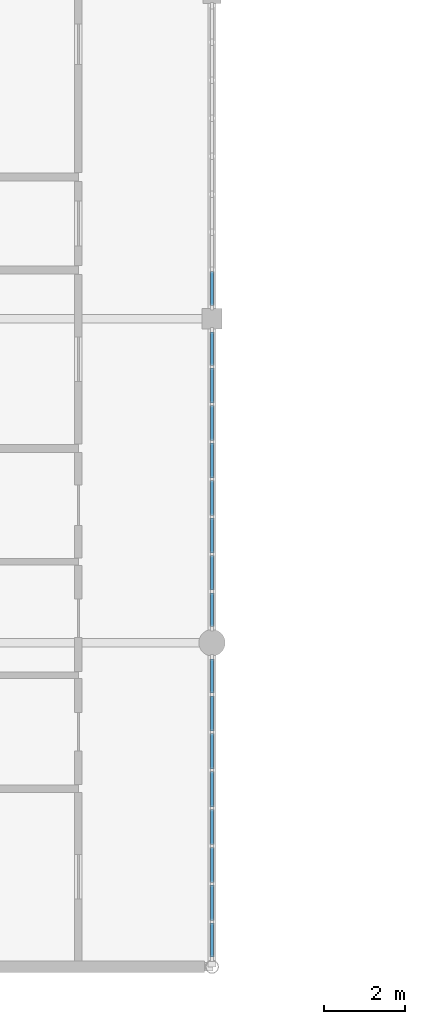
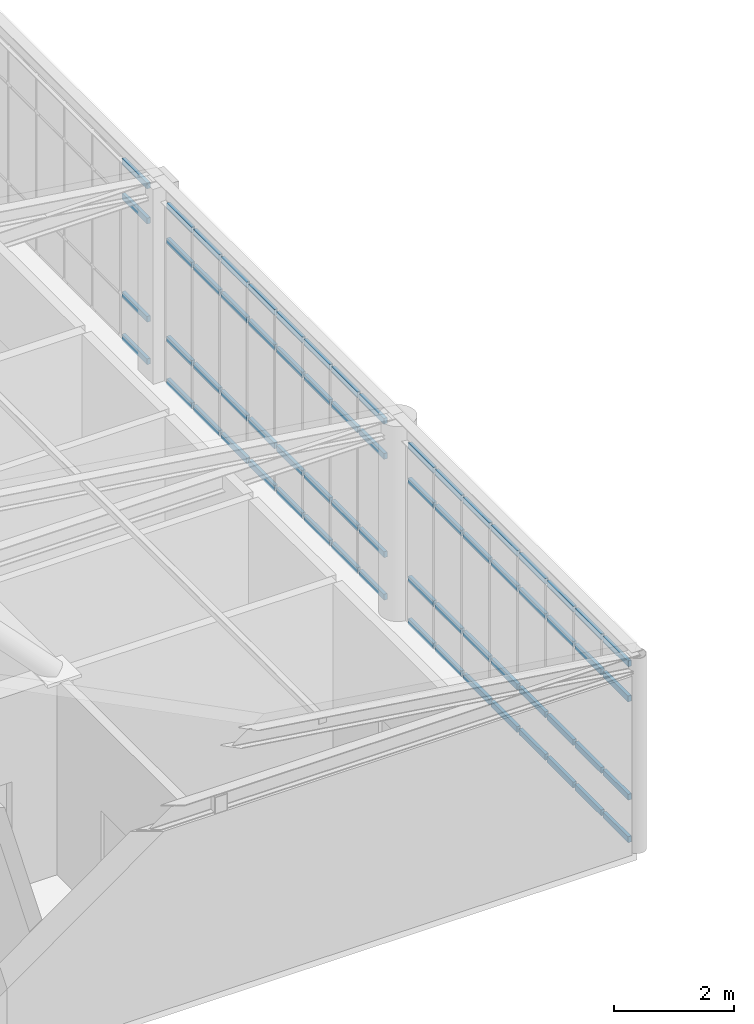
# One storey, part 9 of 21: 68 members, 3 elements without a shape of their own.
"""IFC4 building model written with IfcOpenShell, lengths in metres."""

from ifc_helpers import new_model, si_unit, direction, frame, origin, origin_2d, place, context, subcontext, project, spatial, rectangle, extrude, material, material_profile, profile_set, type_object, element, aggregate, save


model = new_model("IFC4")

# Units and contexts
model_context = context("Model", 3, precision=1e-05, world=origin(), true_north=direction((0.0, 1.0)))
body_context = subcontext(model_context, "Body", "Model", "MODEL_VIEW")
ifc_project = project(units=[si_unit("LENGTHUNIT", "METRE"), si_unit("AREAUNIT", "SQUARE_METRE"), si_unit("VOLUMEUNIT", "CUBIC_METRE"), si_unit("PLANEANGLEUNIT", "RADIAN"), si_unit("MASSUNIT", "GRAM", prefix="KILO")], contexts=[model_context])

# Site, building, storey
site_placement = place(None, origin())
site = spatial("IfcSite", under=ifc_project, at=site_placement, CompositionType="ELEMENT")
building_placement = place(site_placement, origin())
building = spatial("IfcBuilding", under=site, at=building_placement, Name="Tarnveldt Square Police Headquarters", CompositionType="ELEMENT")
storey_placement = place(building_placement, frame((0.0, 0.0, 33.300048828125)))
storey = spatial("IfcBuildingStorey", under=building, at=storey_placement, Name="L07", CompositionType="ELEMENT", Elevation=33.300048828125)

# Curtain wall, members
ifc_material_1 = material(Name="Triple-glazed low-e laminated vision glass", Category="glass")
curtain_wall_type_1 = type_object("IfcCurtainWallType", Name="CW-UP-748x366", PredefinedType="USERDEFINED", material=ifc_material_1)
curtain_wall_1_placement = place(storey_placement, origin())
curtain_wall_1 = element("IfcCurtainWall", 1, at=curtain_wall_1_placement, inside=storey, type_object=curtain_wall_type_1, Name="L07 Curtain Wall CW-L07-094", ObjectType="GLAZED CURTAIN WALL", PredefinedType="USERDEFINED")
ifc_material_2 = material(Name="Thermally broken anodised aluminium 6063-T6", Category="aluminium")
ifc_material_profile = material_profile(ifc_material_2, rectangle(XDim=0.06494140625, YDim=0.1201171875, at=origin_2d()), Name="CW-T65x120")
ifc_profile_set = profile_set([ifc_material_profile], Name="Thermally broken anodised aluminium 6063-T6")
member_type = type_object("IfcMemberType", Name="CWT-65x120", PredefinedType="USERDEFINED", material=ifc_profile_set)
member_1_placement = place(storey_placement, frame((40.5, 56.241943359375, 0.032470703125), z_axis=(0.0, 1.0, 0.0), x_axis=(-1.0, 0.0, 0.0)))
member_1 = element("IfcMember", 2, at=member_1_placement, type_object=member_type, Name="CW-UP51 transom 1.1", ObjectType="TRANSOM", PredefinedType="USERDEFINED", context=body_context, shape_type="SweptSolid", body=[
    extrude(rectangle(XDim=0.06494140625, YDim=0.1201171875, at=origin_2d()), origin(), (0.0, 0.0, 1.0), 0.837890625),
])
member_2_placement = place(storey_placement, frame((40.5, 56.241943359375, 0.89990234375), z_axis=(0.0, 1.0, 0.0), x_axis=(-1.0, 0.0, 0.0)))
member_2 = element("IfcMember", 3, at=member_2_placement, type_object=member_type, Name="CW-UP51 transom 1.2", ObjectType="TRANSOM", PredefinedType="USERDEFINED", context=body_context, shape_type="SweptSolid", body=[
    extrude(rectangle(XDim=0.06494140625, YDim=0.1201171875, at=origin_2d()), origin(), (0.0, 0.0, 1.0), 0.837890625),
])
member_3_placement = place(storey_placement, frame((40.5, 56.241943359375, 2.905029296875), z_axis=(0.0, 1.0, 0.0), x_axis=(-1.0, 0.0, 0.0)))
member_3 = element("IfcMember", 4, at=member_3_placement, type_object=member_type, Name="CW-UP51 transom 1.3", ObjectType="TRANSOM", PredefinedType="USERDEFINED", context=body_context, shape_type="SweptSolid", body=[
    extrude(rectangle(XDim=0.06494140625, YDim=0.1201171875, at=origin_2d()), origin(), (0.0, 0.0, 1.0), 0.837890625),
])
member_4_placement = place(storey_placement, frame((40.5, 56.241943359375, 3.62255859375), z_axis=(0.0, 1.0, 0.0), x_axis=(-1.0, 0.0, 0.0)))
member_4 = element("IfcMember", 5, at=member_4_placement, type_object=member_type, Name="CW-UP51 transom 1.4", ObjectType="TRANSOM", PredefinedType="USERDEFINED", context=body_context, shape_type="SweptSolid", body=[
    extrude(rectangle(XDim=0.06494140625, YDim=0.1201171875, at=origin_2d()), origin(), (0.0, 0.0, 1.0), 0.837890625),
])
member_5_placement = place(storey_placement, frame((40.5, 57.144775390625, 0.032470703125), z_axis=(0.0, 1.0, 0.0), x_axis=(-1.0, 0.0, 0.0)))
member_5 = element("IfcMember", 6, at=member_5_placement, type_object=member_type, Name="CW-UP51 transom 2.1", ObjectType="TRANSOM", PredefinedType="USERDEFINED", context=body_context, shape_type="SweptSolid", body=[
    extrude(rectangle(XDim=0.06494140625, YDim=0.1201171875, at=origin_2d()), origin(), (0.0, 0.0, 1.0), 0.870361328125),
])
member_6_placement = place(storey_placement, frame((40.5, 57.144775390625, 0.89990234375), z_axis=(0.0, 1.0, 0.0), x_axis=(-1.0, 0.0, 0.0)))
member_6 = element("IfcMember", 7, at=member_6_placement, type_object=member_type, Name="CW-UP51 transom 2.2", ObjectType="TRANSOM", PredefinedType="USERDEFINED", context=body_context, shape_type="SweptSolid", body=[
    extrude(rectangle(XDim=0.06494140625, YDim=0.1201171875, at=origin_2d()), origin(), (0.0, 0.0, 1.0), 0.870361328125),
])
member_7_placement = place(storey_placement, frame((40.5, 57.144775390625, 2.905029296875), z_axis=(0.0, 1.0, 0.0), x_axis=(-1.0, 0.0, 0.0)))
member_7 = element("IfcMember", 8, at=member_7_placement, type_object=member_type, Name="CW-UP51 transom 2.3", ObjectType="TRANSOM", PredefinedType="USERDEFINED", context=body_context, shape_type="SweptSolid", body=[
    extrude(rectangle(XDim=0.06494140625, YDim=0.1201171875, at=origin_2d()), origin(), (0.0, 0.0, 1.0), 0.870361328125),
])
member_8_placement = place(storey_placement, frame((40.5, 57.144775390625, 3.62255859375), z_axis=(0.0, 1.0, 0.0), x_axis=(-1.0, 0.0, 0.0)))
member_8 = element("IfcMember", 9, at=member_8_placement, type_object=member_type, Name="CW-UP51 transom 2.4", ObjectType="TRANSOM", PredefinedType="USERDEFINED", context=body_context, shape_type="SweptSolid", body=[
    extrude(rectangle(XDim=0.06494140625, YDim=0.1201171875, at=origin_2d()), origin(), (0.0, 0.0, 1.0), 0.870361328125),
])
member_9_placement = place(storey_placement, frame((40.5, 58.080322265625, 0.032470703125), z_axis=(0.0, 1.0, 0.0), x_axis=(-1.0, 0.0, 0.0)))
member_9 = element("IfcMember", 10, at=member_9_placement, type_object=member_type, Name="CW-UP51 transom 3.1", ObjectType="TRANSOM", PredefinedType="USERDEFINED", context=body_context, shape_type="SweptSolid", body=[
    extrude(rectangle(XDim=0.06494140625, YDim=0.1201171875, at=origin_2d()), origin(), (0.0, 0.0, 1.0), 0.870361328125),
])
member_10_placement = place(storey_placement, frame((40.5, 58.080322265625, 0.89990234375), z_axis=(0.0, 1.0, 0.0), x_axis=(-1.0, 0.0, 0.0)))
member_10 = element("IfcMember", 11, at=member_10_placement, type_object=member_type, Name="CW-UP51 transom 3.2", ObjectType="TRANSOM", PredefinedType="USERDEFINED", context=body_context, shape_type="SweptSolid", body=[
    extrude(rectangle(XDim=0.06494140625, YDim=0.1201171875, at=origin_2d()), origin(), (0.0, 0.0, 1.0), 0.870361328125),
])
member_11_placement = place(storey_placement, frame((40.5, 58.080322265625, 2.905029296875), z_axis=(0.0, 1.0, 0.0), x_axis=(-1.0, 0.0, 0.0)))
member_11 = element("IfcMember", 12, at=member_11_placement, type_object=member_type, Name="CW-UP51 transom 3.3", ObjectType="TRANSOM", PredefinedType="USERDEFINED", context=body_context, shape_type="SweptSolid", body=[
    extrude(rectangle(XDim=0.06494140625, YDim=0.1201171875, at=origin_2d()), origin(), (0.0, 0.0, 1.0), 0.870361328125),
])
member_12_placement = place(storey_placement, frame((40.5, 58.080322265625, 3.62255859375), z_axis=(0.0, 1.0, 0.0), x_axis=(-1.0, 0.0, 0.0)))
member_12 = element("IfcMember", 13, at=member_12_placement, type_object=member_type, Name="CW-UP51 transom 3.4", ObjectType="TRANSOM", PredefinedType="USERDEFINED", context=body_context, shape_type="SweptSolid", body=[
    extrude(rectangle(XDim=0.06494140625, YDim=0.1201171875, at=origin_2d()), origin(), (0.0, 0.0, 1.0), 0.870361328125),
])
member_13_placement = place(storey_placement, frame((40.5, 59.015625, 0.032470703125), z_axis=(0.0, 1.0, 0.0), x_axis=(-1.0, 0.0, 0.0)))
member_13 = element("IfcMember", 14, at=member_13_placement, type_object=member_type, Name="CW-UP51 transom 4.1", ObjectType="TRANSOM", PredefinedType="USERDEFINED", context=body_context, shape_type="SweptSolid", body=[
    extrude(rectangle(XDim=0.06494140625, YDim=0.1201171875, at=origin_2d()), origin(), (0.0, 0.0, 1.0), 0.870361328125),
])
member_14_placement = place(storey_placement, frame((40.5, 59.015625, 0.89990234375), z_axis=(0.0, 1.0, 0.0), x_axis=(-1.0, 0.0, 0.0)))
member_14 = element("IfcMember", 15, at=member_14_placement, type_object=member_type, Name="CW-UP51 transom 4.2", ObjectType="TRANSOM", PredefinedType="USERDEFINED", context=body_context, shape_type="SweptSolid", body=[
    extrude(rectangle(XDim=0.06494140625, YDim=0.1201171875, at=origin_2d()), origin(), (0.0, 0.0, 1.0), 0.870361328125),
])
member_15_placement = place(storey_placement, frame((40.5, 59.015625, 2.905029296875), z_axis=(0.0, 1.0, 0.0), x_axis=(-1.0, 0.0, 0.0)))
member_15 = element("IfcMember", 16, at=member_15_placement, type_object=member_type, Name="CW-UP51 transom 4.3", ObjectType="TRANSOM", PredefinedType="USERDEFINED", context=body_context, shape_type="SweptSolid", body=[
    extrude(rectangle(XDim=0.06494140625, YDim=0.1201171875, at=origin_2d()), origin(), (0.0, 0.0, 1.0), 0.870361328125),
])
member_16_placement = place(storey_placement, frame((40.5, 59.015625, 3.62255859375), z_axis=(0.0, 1.0, 0.0), x_axis=(-1.0, 0.0, 0.0)))
member_16 = element("IfcMember", 17, at=member_16_placement, type_object=member_type, Name="CW-UP51 transom 4.4", ObjectType="TRANSOM", PredefinedType="USERDEFINED", context=body_context, shape_type="SweptSolid", body=[
    extrude(rectangle(XDim=0.06494140625, YDim=0.1201171875, at=origin_2d()), origin(), (0.0, 0.0, 1.0), 0.870361328125),
])
member_17_placement = place(storey_placement, frame((40.5, 59.950927734375, 0.032470703125), z_axis=(0.0, 1.0, 0.0), x_axis=(-1.0, 0.0, 0.0)))
member_17 = element("IfcMember", 18, at=member_17_placement, type_object=member_type, Name="CW-UP51 transom 5.1", ObjectType="TRANSOM", PredefinedType="USERDEFINED", context=body_context, shape_type="SweptSolid", body=[
    extrude(rectangle(XDim=0.06494140625, YDim=0.1201171875, at=origin_2d()), origin(), (0.0, 0.0, 1.0), 0.870361328125),
])
member_18_placement = place(storey_placement, frame((40.5, 59.950927734375, 0.89990234375), z_axis=(0.0, 1.0, 0.0), x_axis=(-1.0, 0.0, 0.0)))
member_18 = element("IfcMember", 19, at=member_18_placement, type_object=member_type, Name="CW-UP51 transom 5.2", ObjectType="TRANSOM", PredefinedType="USERDEFINED", context=body_context, shape_type="SweptSolid", body=[
    extrude(rectangle(XDim=0.06494140625, YDim=0.1201171875, at=origin_2d()), origin(), (0.0, 0.0, 1.0), 0.870361328125),
])
member_19_placement = place(storey_placement, frame((40.5, 59.950927734375, 2.905029296875), z_axis=(0.0, 1.0, 0.0), x_axis=(-1.0, 0.0, 0.0)))
member_19 = element("IfcMember", 20, at=member_19_placement, type_object=member_type, Name="CW-UP51 transom 5.3", ObjectType="TRANSOM", PredefinedType="USERDEFINED", context=body_context, shape_type="SweptSolid", body=[
    extrude(rectangle(XDim=0.06494140625, YDim=0.1201171875, at=origin_2d()), origin(), (0.0, 0.0, 1.0), 0.870361328125),
])
member_20_placement = place(storey_placement, frame((40.5, 59.950927734375, 3.62255859375), z_axis=(0.0, 1.0, 0.0), x_axis=(-1.0, 0.0, 0.0)))
member_20 = element("IfcMember", 21, at=member_20_placement, type_object=member_type, Name="CW-UP51 transom 5.4", ObjectType="TRANSOM", PredefinedType="USERDEFINED", context=body_context, shape_type="SweptSolid", body=[
    extrude(rectangle(XDim=0.06494140625, YDim=0.1201171875, at=origin_2d()), origin(), (0.0, 0.0, 1.0), 0.870361328125),
])
member_21_placement = place(storey_placement, frame((40.5, 60.886474609375, 0.032470703125), z_axis=(0.0, 1.0, 0.0), x_axis=(-1.0, 0.0, 0.0)))
member_21 = element("IfcMember", 22, at=member_21_placement, type_object=member_type, Name="CW-UP51 transom 6.1", ObjectType="TRANSOM", PredefinedType="USERDEFINED", context=body_context, shape_type="SweptSolid", body=[
    extrude(rectangle(XDim=0.06494140625, YDim=0.1201171875, at=origin_2d()), origin(), (0.0, 0.0, 1.0), 0.870361328125),
])
member_22_placement = place(storey_placement, frame((40.5, 60.886474609375, 0.89990234375), z_axis=(0.0, 1.0, 0.0), x_axis=(-1.0, 0.0, 0.0)))
member_22 = element("IfcMember", 23, at=member_22_placement, type_object=member_type, Name="CW-UP51 transom 6.2", ObjectType="TRANSOM", PredefinedType="USERDEFINED", context=body_context, shape_type="SweptSolid", body=[
    extrude(rectangle(XDim=0.06494140625, YDim=0.1201171875, at=origin_2d()), origin(), (0.0, 0.0, 1.0), 0.870361328125),
])
member_23_placement = place(storey_placement, frame((40.5, 60.886474609375, 2.905029296875), z_axis=(0.0, 1.0, 0.0), x_axis=(-1.0, 0.0, 0.0)))
member_23 = element("IfcMember", 24, at=member_23_placement, type_object=member_type, Name="CW-UP51 transom 6.3", ObjectType="TRANSOM", PredefinedType="USERDEFINED", context=body_context, shape_type="SweptSolid", body=[
    extrude(rectangle(XDim=0.06494140625, YDim=0.1201171875, at=origin_2d()), origin(), (0.0, 0.0, 1.0), 0.870361328125),
])
member_24_placement = place(storey_placement, frame((40.5, 60.886474609375, 3.62255859375), z_axis=(0.0, 1.0, 0.0), x_axis=(-1.0, 0.0, 0.0)))
member_24 = element("IfcMember", 25, at=member_24_placement, type_object=member_type, Name="CW-UP51 transom 6.4", ObjectType="TRANSOM", PredefinedType="USERDEFINED", context=body_context, shape_type="SweptSolid", body=[
    extrude(rectangle(XDim=0.06494140625, YDim=0.1201171875, at=origin_2d()), origin(), (0.0, 0.0, 1.0), 0.870361328125),
])
member_25_placement = place(storey_placement, frame((40.5, 61.82177734375, 0.032470703125), z_axis=(0.0, 1.0, 0.0), x_axis=(-1.0, 0.0, 0.0)))
member_25 = element("IfcMember", 26, at=member_25_placement, type_object=member_type, Name="CW-UP51 transom 7.1", ObjectType="TRANSOM", PredefinedType="USERDEFINED", context=body_context, shape_type="SweptSolid", body=[
    extrude(rectangle(XDim=0.06494140625, YDim=0.1201171875, at=origin_2d()), origin(), (0.0, 0.0, 1.0), 0.870361328125),
])
member_26_placement = place(storey_placement, frame((40.5, 61.82177734375, 0.89990234375), z_axis=(0.0, 1.0, 0.0), x_axis=(-1.0, 0.0, 0.0)))
member_26 = element("IfcMember", 27, at=member_26_placement, type_object=member_type, Name="CW-UP51 transom 7.2", ObjectType="TRANSOM", PredefinedType="USERDEFINED", context=body_context, shape_type="SweptSolid", body=[
    extrude(rectangle(XDim=0.06494140625, YDim=0.1201171875, at=origin_2d()), origin(), (0.0, 0.0, 1.0), 0.870361328125),
])
member_27_placement = place(storey_placement, frame((40.5, 61.82177734375, 2.905029296875), z_axis=(0.0, 1.0, 0.0), x_axis=(-1.0, 0.0, 0.0)))
member_27 = element("IfcMember", 28, at=member_27_placement, type_object=member_type, Name="CW-UP51 transom 7.3", ObjectType="TRANSOM", PredefinedType="USERDEFINED", context=body_context, shape_type="SweptSolid", body=[
    extrude(rectangle(XDim=0.06494140625, YDim=0.1201171875, at=origin_2d()), origin(), (0.0, 0.0, 1.0), 0.870361328125),
])
member_28_placement = place(storey_placement, frame((40.5, 61.82177734375, 3.62255859375), z_axis=(0.0, 1.0, 0.0), x_axis=(-1.0, 0.0, 0.0)))
member_28 = element("IfcMember", 29, at=member_28_placement, type_object=member_type, Name="CW-UP51 transom 7.4", ObjectType="TRANSOM", PredefinedType="USERDEFINED", context=body_context, shape_type="SweptSolid", body=[
    extrude(rectangle(XDim=0.06494140625, YDim=0.1201171875, at=origin_2d()), origin(), (0.0, 0.0, 1.0), 0.870361328125),
])
member_29_placement = place(storey_placement, frame((40.5, 62.757080078125, 0.032470703125), z_axis=(0.0, 1.0, 0.0), x_axis=(-1.0, 0.0, 0.0)))
member_29 = element("IfcMember", 30, at=member_29_placement, type_object=member_type, Name="CW-UP51 transom 8.1", ObjectType="TRANSOM", PredefinedType="USERDEFINED", context=body_context, shape_type="SweptSolid", body=[
    extrude(rectangle(XDim=0.06494140625, YDim=0.1201171875, at=origin_2d()), origin(), (0.0, 0.0, 1.0), 0.837890625),
])
member_30_placement = place(storey_placement, frame((40.5, 62.757080078125, 0.89990234375), z_axis=(0.0, 1.0, 0.0), x_axis=(-1.0, 0.0, 0.0)))
member_30 = element("IfcMember", 31, at=member_30_placement, type_object=member_type, Name="CW-UP51 transom 8.2", ObjectType="TRANSOM", PredefinedType="USERDEFINED", context=body_context, shape_type="SweptSolid", body=[
    extrude(rectangle(XDim=0.06494140625, YDim=0.1201171875, at=origin_2d()), origin(), (0.0, 0.0, 1.0), 0.837890625),
])
member_31_placement = place(storey_placement, frame((40.5, 62.757080078125, 2.905029296875), z_axis=(0.0, 1.0, 0.0), x_axis=(-1.0, 0.0, 0.0)))
member_31 = element("IfcMember", 32, at=member_31_placement, type_object=member_type, Name="CW-UP51 transom 8.3", ObjectType="TRANSOM", PredefinedType="USERDEFINED", context=body_context, shape_type="SweptSolid", body=[
    extrude(rectangle(XDim=0.06494140625, YDim=0.1201171875, at=origin_2d()), origin(), (0.0, 0.0, 1.0), 0.837890625),
])
member_32_placement = place(storey_placement, frame((40.5, 62.757080078125, 3.62255859375), z_axis=(0.0, 1.0, 0.0), x_axis=(-1.0, 0.0, 0.0)))
member_32 = element("IfcMember", 33, at=member_32_placement, type_object=member_type, Name="CW-UP51 transom 8.4", ObjectType="TRANSOM", PredefinedType="USERDEFINED", context=body_context, shape_type="SweptSolid", body=[
    extrude(rectangle(XDim=0.06494140625, YDim=0.1201171875, at=origin_2d()), origin(), (0.0, 0.0, 1.0), 0.837890625),
])
aggregate(curtain_wall_1, [member_1, member_2, member_3, member_4, member_5, member_6, member_7, member_8, member_9, member_10, member_11, member_12, member_13, member_14, member_15, member_16, member_17, member_18, member_19, member_20, member_21, member_22, member_23, member_24, member_25, member_26, member_27, member_28, member_29, member_30, member_31, member_32])

curtain_wall_type_2 = type_object("IfcCurtainWallType", Name="CW-UP-739x366", PredefinedType="USERDEFINED", material=ifc_material_1)
curtain_wall_2_placement = place(storey_placement, origin())
curtain_wall_2 = element("IfcCurtainWall", 34, at=curtain_wall_2_placement, inside=storey, type_object=curtain_wall_type_2, Name="L07 Curtain Wall CW-L07-095", ObjectType="GLAZED CURTAIN WALL", PredefinedType="USERDEFINED")
member_33_placement = place(storey_placement, frame((40.5, 64.405029296875, 0.032470703125), z_axis=(0.0, 1.0, 0.0), x_axis=(-1.0, 0.0, 0.0)))
member_33 = element("IfcMember", 35, at=member_33_placement, type_object=member_type, Name="CW-UP52 transom 1.1", ObjectType="TRANSOM", PredefinedType="USERDEFINED", context=body_context, shape_type="SweptSolid", body=[
    extrude(rectangle(XDim=0.06494140625, YDim=0.1201171875, at=origin_2d()), origin(), (0.0, 0.0, 1.0), 0.826904296875),
])
member_34_placement = place(storey_placement, frame((40.5, 64.405029296875, 0.89990234375), z_axis=(0.0, 1.0, 0.0), x_axis=(-1.0, 0.0, 0.0)))
member_34 = element("IfcMember", 36, at=member_34_placement, type_object=member_type, Name="CW-UP52 transom 1.2", ObjectType="TRANSOM", PredefinedType="USERDEFINED", context=body_context, shape_type="SweptSolid", body=[
    extrude(rectangle(XDim=0.06494140625, YDim=0.1201171875, at=origin_2d()), origin(), (0.0, 0.0, 1.0), 0.826904296875),
])
member_35_placement = place(storey_placement, frame((40.5, 64.405029296875, 2.905029296875), z_axis=(0.0, 1.0, 0.0), x_axis=(-1.0, 0.0, 0.0)))
member_35 = element("IfcMember", 37, at=member_35_placement, type_object=member_type, Name="CW-UP52 transom 1.3", ObjectType="TRANSOM", PredefinedType="USERDEFINED", context=body_context, shape_type="SweptSolid", body=[
    extrude(rectangle(XDim=0.06494140625, YDim=0.1201171875, at=origin_2d()), origin(), (0.0, 0.0, 1.0), 0.826904296875),
])
member_36_placement = place(storey_placement, frame((40.5, 64.405029296875, 3.62255859375), z_axis=(0.0, 1.0, 0.0), x_axis=(-1.0, 0.0, 0.0)))
member_36 = element("IfcMember", 38, at=member_36_placement, type_object=member_type, Name="CW-UP52 transom 1.4", ObjectType="TRANSOM", PredefinedType="USERDEFINED", context=body_context, shape_type="SweptSolid", body=[
    extrude(rectangle(XDim=0.06494140625, YDim=0.1201171875, at=origin_2d()), origin(), (0.0, 0.0, 1.0), 0.826904296875),
])
member_37_placement = place(storey_placement, frame((40.5, 65.296875, 0.032470703125), z_axis=(0.0, 1.0, 0.0), x_axis=(-1.0, 0.0, 0.0)))
member_37 = element("IfcMember", 39, at=member_37_placement, type_object=member_type, Name="CW-UP52 transom 2.1", ObjectType="TRANSOM", PredefinedType="USERDEFINED", context=body_context, shape_type="SweptSolid", body=[
    extrude(rectangle(XDim=0.06494140625, YDim=0.1201171875, at=origin_2d()), origin(), (0.0, 0.0, 1.0), 0.859375),
])
member_38_placement = place(storey_placement, frame((40.5, 65.296875, 0.89990234375), z_axis=(0.0, 1.0, 0.0), x_axis=(-1.0, 0.0, 0.0)))
member_38 = element("IfcMember", 40, at=member_38_placement, type_object=member_type, Name="CW-UP52 transom 2.2", ObjectType="TRANSOM", PredefinedType="USERDEFINED", context=body_context, shape_type="SweptSolid", body=[
    extrude(rectangle(XDim=0.06494140625, YDim=0.1201171875, at=origin_2d()), origin(), (0.0, 0.0, 1.0), 0.859375),
])
member_39_placement = place(storey_placement, frame((40.5, 65.296875, 2.905029296875), z_axis=(0.0, 1.0, 0.0), x_axis=(-1.0, 0.0, 0.0)))
member_39 = element("IfcMember", 41, at=member_39_placement, type_object=member_type, Name="CW-UP52 transom 2.3", ObjectType="TRANSOM", PredefinedType="USERDEFINED", context=body_context, shape_type="SweptSolid", body=[
    extrude(rectangle(XDim=0.06494140625, YDim=0.1201171875, at=origin_2d()), origin(), (0.0, 0.0, 1.0), 0.859375),
])
member_40_placement = place(storey_placement, frame((40.5, 65.296875, 3.62255859375), z_axis=(0.0, 1.0, 0.0), x_axis=(-1.0, 0.0, 0.0)))
member_40 = element("IfcMember", 42, at=member_40_placement, type_object=member_type, Name="CW-UP52 transom 2.4", ObjectType="TRANSOM", PredefinedType="USERDEFINED", context=body_context, shape_type="SweptSolid", body=[
    extrude(rectangle(XDim=0.06494140625, YDim=0.1201171875, at=origin_2d()), origin(), (0.0, 0.0, 1.0), 0.859375),
])
member_41_placement = place(storey_placement, frame((40.5, 66.22119140625, 0.032470703125), z_axis=(0.0, 1.0, 0.0), x_axis=(-1.0, 0.0, 0.0)))
member_41 = element("IfcMember", 43, at=member_41_placement, type_object=member_type, Name="CW-UP52 transom 3.1", ObjectType="TRANSOM", PredefinedType="USERDEFINED", context=body_context, shape_type="SweptSolid", body=[
    extrude(rectangle(XDim=0.06494140625, YDim=0.1201171875, at=origin_2d()), origin(), (0.0, 0.0, 1.0), 0.859375),
])
member_42_placement = place(storey_placement, frame((40.5, 66.22119140625, 0.89990234375), z_axis=(0.0, 1.0, 0.0), x_axis=(-1.0, 0.0, 0.0)))
member_42 = element("IfcMember", 44, at=member_42_placement, type_object=member_type, Name="CW-UP52 transom 3.2", ObjectType="TRANSOM", PredefinedType="USERDEFINED", context=body_context, shape_type="SweptSolid", body=[
    extrude(rectangle(XDim=0.06494140625, YDim=0.1201171875, at=origin_2d()), origin(), (0.0, 0.0, 1.0), 0.859375),
])
member_43_placement = place(storey_placement, frame((40.5, 66.22119140625, 2.905029296875), z_axis=(0.0, 1.0, 0.0), x_axis=(-1.0, 0.0, 0.0)))
member_43 = element("IfcMember", 45, at=member_43_placement, type_object=member_type, Name="CW-UP52 transom 3.3", ObjectType="TRANSOM", PredefinedType="USERDEFINED", context=body_context, shape_type="SweptSolid", body=[
    extrude(rectangle(XDim=0.06494140625, YDim=0.1201171875, at=origin_2d()), origin(), (0.0, 0.0, 1.0), 0.859375),
])
member_44_placement = place(storey_placement, frame((40.5, 66.22119140625, 3.62255859375), z_axis=(0.0, 1.0, 0.0), x_axis=(-1.0, 0.0, 0.0)))
member_44 = element("IfcMember", 46, at=member_44_placement, type_object=member_type, Name="CW-UP52 transom 3.4", ObjectType="TRANSOM", PredefinedType="USERDEFINED", context=body_context, shape_type="SweptSolid", body=[
    extrude(rectangle(XDim=0.06494140625, YDim=0.1201171875, at=origin_2d()), origin(), (0.0, 0.0, 1.0), 0.859375),
])
member_45_placement = place(storey_placement, frame((40.5, 67.1455078125, 0.032470703125), z_axis=(0.0, 1.0, 0.0), x_axis=(-1.0, 0.0, 0.0)))
member_45 = element("IfcMember", 47, at=member_45_placement, type_object=member_type, Name="CW-UP52 transom 4.1", ObjectType="TRANSOM", PredefinedType="USERDEFINED", context=body_context, shape_type="SweptSolid", body=[
    extrude(rectangle(XDim=0.06494140625, YDim=0.1201171875, at=origin_2d()), origin(), (0.0, 0.0, 1.0), 0.859375),
])
member_46_placement = place(storey_placement, frame((40.5, 67.1455078125, 0.89990234375), z_axis=(0.0, 1.0, 0.0), x_axis=(-1.0, 0.0, 0.0)))
member_46 = element("IfcMember", 48, at=member_46_placement, type_object=member_type, Name="CW-UP52 transom 4.2", ObjectType="TRANSOM", PredefinedType="USERDEFINED", context=body_context, shape_type="SweptSolid", body=[
    extrude(rectangle(XDim=0.06494140625, YDim=0.1201171875, at=origin_2d()), origin(), (0.0, 0.0, 1.0), 0.859375),
])
member_47_placement = place(storey_placement, frame((40.5, 67.1455078125, 2.905029296875), z_axis=(0.0, 1.0, 0.0), x_axis=(-1.0, 0.0, 0.0)))
member_47 = element("IfcMember", 49, at=member_47_placement, type_object=member_type, Name="CW-UP52 transom 4.3", ObjectType="TRANSOM", PredefinedType="USERDEFINED", context=body_context, shape_type="SweptSolid", body=[
    extrude(rectangle(XDim=0.06494140625, YDim=0.1201171875, at=origin_2d()), origin(), (0.0, 0.0, 1.0), 0.859375),
])
member_48_placement = place(storey_placement, frame((40.5, 67.1455078125, 3.62255859375), z_axis=(0.0, 1.0, 0.0), x_axis=(-1.0, 0.0, 0.0)))
member_48 = element("IfcMember", 50, at=member_48_placement, type_object=member_type, Name="CW-UP52 transom 4.4", ObjectType="TRANSOM", PredefinedType="USERDEFINED", context=body_context, shape_type="SweptSolid", body=[
    extrude(rectangle(XDim=0.06494140625, YDim=0.1201171875, at=origin_2d()), origin(), (0.0, 0.0, 1.0), 0.859375),
])
member_49_placement = place(storey_placement, frame((40.5, 68.070068359375, 0.032470703125), z_axis=(0.0, 1.0, 0.0), x_axis=(-1.0, 0.0, 0.0)))
member_49 = element("IfcMember", 51, at=member_49_placement, type_object=member_type, Name="CW-UP52 transom 5.1", ObjectType="TRANSOM", PredefinedType="USERDEFINED", context=body_context, shape_type="SweptSolid", body=[
    extrude(rectangle(XDim=0.06494140625, YDim=0.1201171875, at=origin_2d()), origin(), (0.0, 0.0, 1.0), 0.859375),
])
member_50_placement = place(storey_placement, frame((40.5, 68.070068359375, 0.89990234375), z_axis=(0.0, 1.0, 0.0), x_axis=(-1.0, 0.0, 0.0)))
member_50 = element("IfcMember", 52, at=member_50_placement, type_object=member_type, Name="CW-UP52 transom 5.2", ObjectType="TRANSOM", PredefinedType="USERDEFINED", context=body_context, shape_type="SweptSolid", body=[
    extrude(rectangle(XDim=0.06494140625, YDim=0.1201171875, at=origin_2d()), origin(), (0.0, 0.0, 1.0), 0.859375),
])
member_51_placement = place(storey_placement, frame((40.5, 68.070068359375, 2.905029296875), z_axis=(0.0, 1.0, 0.0), x_axis=(-1.0, 0.0, 0.0)))
member_51 = element("IfcMember", 53, at=member_51_placement, type_object=member_type, Name="CW-UP52 transom 5.3", ObjectType="TRANSOM", PredefinedType="USERDEFINED", context=body_context, shape_type="SweptSolid", body=[
    extrude(rectangle(XDim=0.06494140625, YDim=0.1201171875, at=origin_2d()), origin(), (0.0, 0.0, 1.0), 0.859375),
])
member_52_placement = place(storey_placement, frame((40.5, 68.070068359375, 3.62255859375), z_axis=(0.0, 1.0, 0.0), x_axis=(-1.0, 0.0, 0.0)))
member_52 = element("IfcMember", 54, at=member_52_placement, type_object=member_type, Name="CW-UP52 transom 5.4", ObjectType="TRANSOM", PredefinedType="USERDEFINED", context=body_context, shape_type="SweptSolid", body=[
    extrude(rectangle(XDim=0.06494140625, YDim=0.1201171875, at=origin_2d()), origin(), (0.0, 0.0, 1.0), 0.859375),
])
member_53_placement = place(storey_placement, frame((40.5, 68.994384765625, 0.032470703125), z_axis=(0.0, 1.0, 0.0), x_axis=(-1.0, 0.0, 0.0)))
member_53 = element("IfcMember", 55, at=member_53_placement, type_object=member_type, Name="CW-UP52 transom 6.1", ObjectType="TRANSOM", PredefinedType="USERDEFINED", context=body_context, shape_type="SweptSolid", body=[
    extrude(rectangle(XDim=0.06494140625, YDim=0.1201171875, at=origin_2d()), origin(), (0.0, 0.0, 1.0), 0.859375),
])
member_54_placement = place(storey_placement, frame((40.5, 68.994384765625, 0.89990234375), z_axis=(0.0, 1.0, 0.0), x_axis=(-1.0, 0.0, 0.0)))
member_54 = element("IfcMember", 56, at=member_54_placement, type_object=member_type, Name="CW-UP52 transom 6.2", ObjectType="TRANSOM", PredefinedType="USERDEFINED", context=body_context, shape_type="SweptSolid", body=[
    extrude(rectangle(XDim=0.06494140625, YDim=0.1201171875, at=origin_2d()), origin(), (0.0, 0.0, 1.0), 0.859375),
])
member_55_placement = place(storey_placement, frame((40.5, 68.994384765625, 2.905029296875), z_axis=(0.0, 1.0, 0.0), x_axis=(-1.0, 0.0, 0.0)))
member_55 = element("IfcMember", 57, at=member_55_placement, type_object=member_type, Name="CW-UP52 transom 6.3", ObjectType="TRANSOM", PredefinedType="USERDEFINED", context=body_context, shape_type="SweptSolid", body=[
    extrude(rectangle(XDim=0.06494140625, YDim=0.1201171875, at=origin_2d()), origin(), (0.0, 0.0, 1.0), 0.859375),
])
member_56_placement = place(storey_placement, frame((40.5, 68.994384765625, 3.62255859375), z_axis=(0.0, 1.0, 0.0), x_axis=(-1.0, 0.0, 0.0)))
member_56 = element("IfcMember", 58, at=member_56_placement, type_object=member_type, Name="CW-UP52 transom 6.4", ObjectType="TRANSOM", PredefinedType="USERDEFINED", context=body_context, shape_type="SweptSolid", body=[
    extrude(rectangle(XDim=0.06494140625, YDim=0.1201171875, at=origin_2d()), origin(), (0.0, 0.0, 1.0), 0.859375),
])
member_57_placement = place(storey_placement, frame((40.5, 69.918701171875, 0.032470703125), z_axis=(0.0, 1.0, 0.0), x_axis=(-1.0, 0.0, 0.0)))
member_57 = element("IfcMember", 59, at=member_57_placement, type_object=member_type, Name="CW-UP52 transom 7.1", ObjectType="TRANSOM", PredefinedType="USERDEFINED", context=body_context, shape_type="SweptSolid", body=[
    extrude(rectangle(XDim=0.06494140625, YDim=0.1201171875, at=origin_2d()), origin(), (0.0, 0.0, 1.0), 0.859375),
])
member_58_placement = place(storey_placement, frame((40.5, 69.918701171875, 0.89990234375), z_axis=(0.0, 1.0, 0.0), x_axis=(-1.0, 0.0, 0.0)))
member_58 = element("IfcMember", 60, at=member_58_placement, type_object=member_type, Name="CW-UP52 transom 7.2", ObjectType="TRANSOM", PredefinedType="USERDEFINED", context=body_context, shape_type="SweptSolid", body=[
    extrude(rectangle(XDim=0.06494140625, YDim=0.1201171875, at=origin_2d()), origin(), (0.0, 0.0, 1.0), 0.859375),
])
member_59_placement = place(storey_placement, frame((40.5, 69.918701171875, 2.905029296875), z_axis=(0.0, 1.0, 0.0), x_axis=(-1.0, 0.0, 0.0)))
member_59 = element("IfcMember", 61, at=member_59_placement, type_object=member_type, Name="CW-UP52 transom 7.3", ObjectType="TRANSOM", PredefinedType="USERDEFINED", context=body_context, shape_type="SweptSolid", body=[
    extrude(rectangle(XDim=0.06494140625, YDim=0.1201171875, at=origin_2d()), origin(), (0.0, 0.0, 1.0), 0.859375),
])
member_60_placement = place(storey_placement, frame((40.5, 69.918701171875, 3.62255859375), z_axis=(0.0, 1.0, 0.0), x_axis=(-1.0, 0.0, 0.0)))
member_60 = element("IfcMember", 62, at=member_60_placement, type_object=member_type, Name="CW-UP52 transom 7.4", ObjectType="TRANSOM", PredefinedType="USERDEFINED", context=body_context, shape_type="SweptSolid", body=[
    extrude(rectangle(XDim=0.06494140625, YDim=0.1201171875, at=origin_2d()), origin(), (0.0, 0.0, 1.0), 0.859375),
])
member_61_placement = place(storey_placement, frame((40.5, 70.843017578125, 0.032470703125), z_axis=(0.0, 1.0, 0.0), x_axis=(-1.0, 0.0, 0.0)))
member_61 = element("IfcMember", 63, at=member_61_placement, type_object=member_type, Name="CW-UP52 transom 8.1", ObjectType="TRANSOM", PredefinedType="USERDEFINED", context=body_context, shape_type="SweptSolid", body=[
    extrude(rectangle(XDim=0.06494140625, YDim=0.1201171875, at=origin_2d()), origin(), (0.0, 0.0, 1.0), 0.826904296875),
])
member_62_placement = place(storey_placement, frame((40.5, 70.843017578125, 0.89990234375), z_axis=(0.0, 1.0, 0.0), x_axis=(-1.0, 0.0, 0.0)))
member_62 = element("IfcMember", 64, at=member_62_placement, type_object=member_type, Name="CW-UP52 transom 8.2", ObjectType="TRANSOM", PredefinedType="USERDEFINED", context=body_context, shape_type="SweptSolid", body=[
    extrude(rectangle(XDim=0.06494140625, YDim=0.1201171875, at=origin_2d()), origin(), (0.0, 0.0, 1.0), 0.826904296875),
])
member_63_placement = place(storey_placement, frame((40.5, 70.843017578125, 2.905029296875), z_axis=(0.0, 1.0, 0.0), x_axis=(-1.0, 0.0, 0.0)))
member_63 = element("IfcMember", 65, at=member_63_placement, type_object=member_type, Name="CW-UP52 transom 8.3", ObjectType="TRANSOM", PredefinedType="USERDEFINED", context=body_context, shape_type="SweptSolid", body=[
    extrude(rectangle(XDim=0.06494140625, YDim=0.1201171875, at=origin_2d()), origin(), (0.0, 0.0, 1.0), 0.826904296875),
])
member_64_placement = place(storey_placement, frame((40.5, 70.843017578125, 3.62255859375), z_axis=(0.0, 1.0, 0.0), x_axis=(-1.0, 0.0, 0.0)))
member_64 = element("IfcMember", 66, at=member_64_placement, type_object=member_type, Name="CW-UP52 transom 8.4", ObjectType="TRANSOM", PredefinedType="USERDEFINED", context=body_context, shape_type="SweptSolid", body=[
    extrude(rectangle(XDim=0.06494140625, YDim=0.1201171875, at=origin_2d()), origin(), (0.0, 0.0, 1.0), 0.826904296875),
])
aggregate(curtain_wall_2, [member_33, member_34, member_35, member_36, member_37, member_38, member_39, member_40, member_41, member_42, member_43, member_44, member_45, member_46, member_47, member_48, member_49, member_50, member_51, member_52, member_53, member_54, member_55, member_56, member_57, member_58, member_59, member_60, member_61, member_62, member_63, member_64])

curtain_wall_type_3 = type_object("IfcCurtainWallType", Name="CW-UP-750x366", PredefinedType="USERDEFINED", material=ifc_material_1)
curtain_wall_3_placement = place(storey_placement, origin())
curtain_wall_3 = element("IfcCurtainWall", 67, at=curtain_wall_3_placement, inside=storey, type_object=curtain_wall_type_3, Name="L07 Curtain Wall CW-L07-096", ObjectType="GLAZED CURTAIN WALL", PredefinedType="USERDEFINED")
member_65_placement = place(storey_placement, frame((40.5, 72.330078125, 0.032470703125), z_axis=(0.0, 1.0, 0.0), x_axis=(-1.0, 0.0, 0.0)))
member_65 = element("IfcMember", 68, at=member_65_placement, type_object=member_type, Name="CW-UP53 transom 1.1", ObjectType="TRANSOM", PredefinedType="USERDEFINED", context=body_context, shape_type="SweptSolid", body=[
    extrude(rectangle(XDim=0.06494140625, YDim=0.1201171875, at=origin_2d()), origin(), (0.0, 0.0, 1.0), 0.83935546875),
])
member_66_placement = place(storey_placement, frame((40.5, 72.330078125, 0.89990234375), z_axis=(0.0, 1.0, 0.0), x_axis=(-1.0, 0.0, 0.0)))
member_66 = element("IfcMember", 69, at=member_66_placement, type_object=member_type, Name="CW-UP53 transom 1.2", ObjectType="TRANSOM", PredefinedType="USERDEFINED", context=body_context, shape_type="SweptSolid", body=[
    extrude(rectangle(XDim=0.06494140625, YDim=0.1201171875, at=origin_2d()), origin(), (0.0, 0.0, 1.0), 0.83935546875),
])
member_67_placement = place(storey_placement, frame((40.5, 72.330078125, 2.905029296875), z_axis=(0.0, 1.0, 0.0), x_axis=(-1.0, 0.0, 0.0)))
member_67 = element("IfcMember", 70, at=member_67_placement, type_object=member_type, Name="CW-UP53 transom 1.3", ObjectType="TRANSOM", PredefinedType="USERDEFINED", context=body_context, shape_type="SweptSolid", body=[
    extrude(rectangle(XDim=0.06494140625, YDim=0.1201171875, at=origin_2d()), origin(), (0.0, 0.0, 1.0), 0.83935546875),
])
member_68_placement = place(storey_placement, frame((40.5, 72.330078125, 3.62255859375), z_axis=(0.0, 1.0, 0.0), x_axis=(-1.0, 0.0, 0.0)))
member_68 = element("IfcMember", 71, at=member_68_placement, type_object=member_type, Name="CW-UP53 transom 1.4", ObjectType="TRANSOM", PredefinedType="USERDEFINED", context=body_context, shape_type="SweptSolid", body=[
    extrude(rectangle(XDim=0.06494140625, YDim=0.1201171875, at=origin_2d()), origin(), (0.0, 0.0, 1.0), 0.83935546875),
])
aggregate(curtain_wall_3, [member_65, member_66, member_67, member_68])

save(model, "model.ifc")
